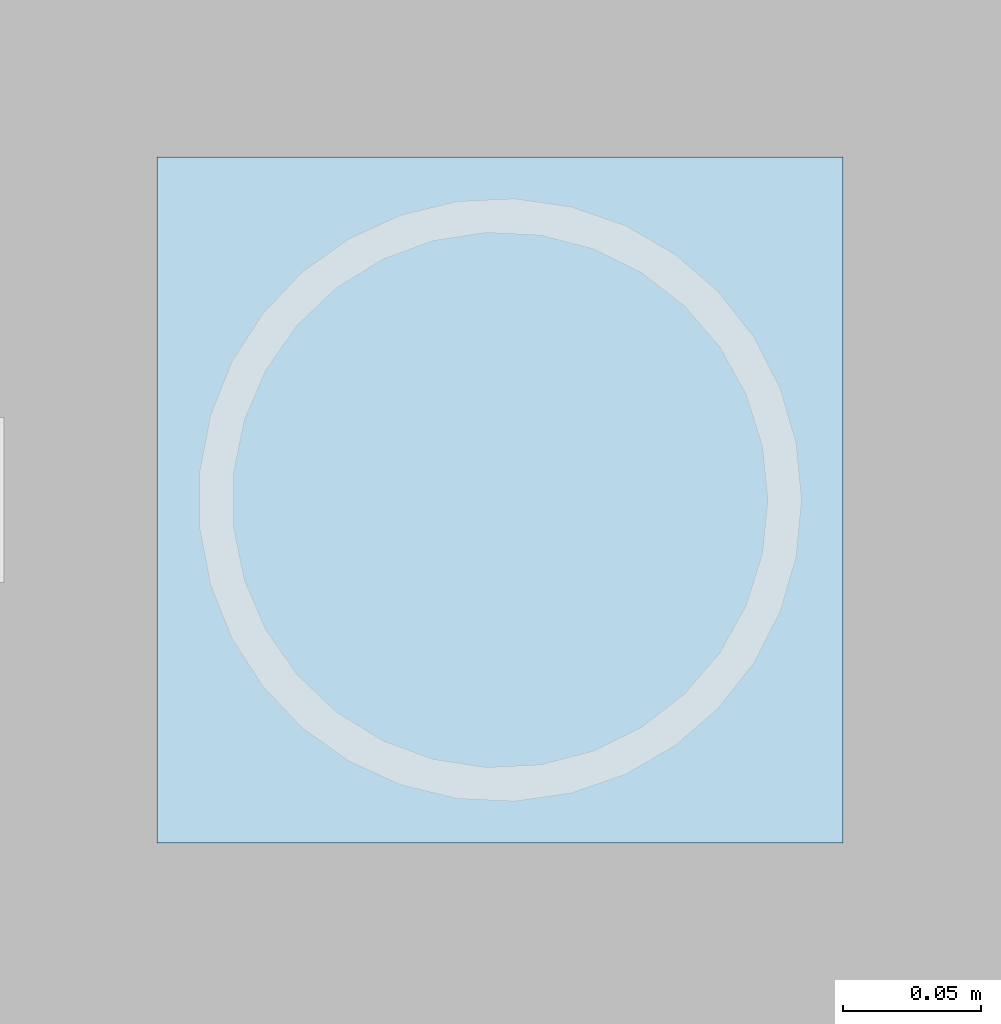
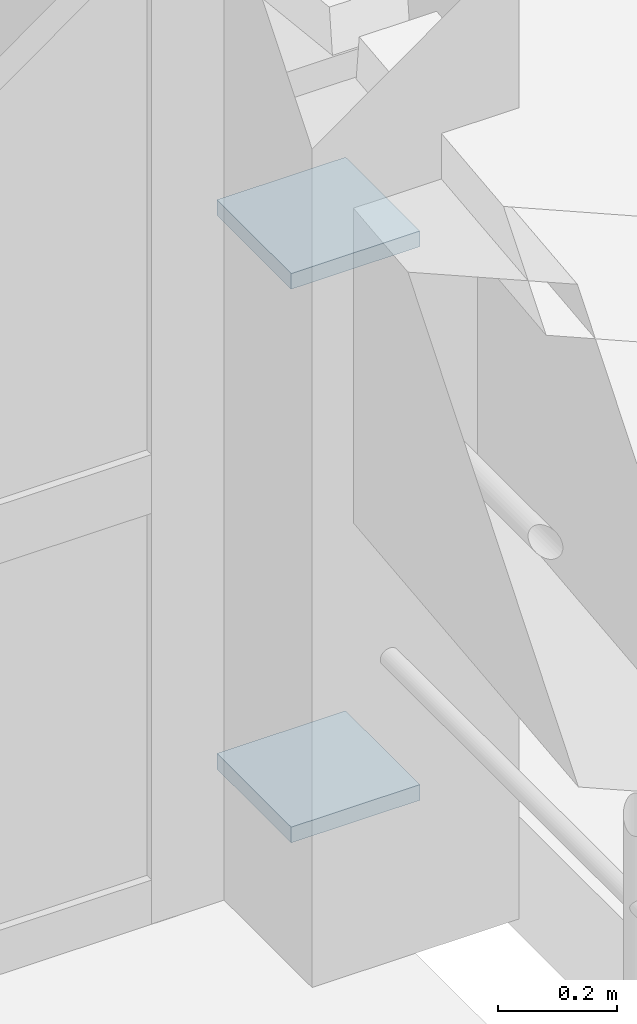
# One storey, part 105 of 139: 2 plates.
"""IFC4 building model written with IfcOpenShell, lengths in metres."""

from ifc_helpers import new_model, si_unit, direction, frame, origin, origin_2d, place, context, subcontext, project, spatial, rectangle, extrude, material, layer, layer_set, type_object, element, save


model = new_model("IFC4")

# Units and contexts
model_context = context("Model", 3, precision=1e-05, world=origin(), true_north=direction((0.0, 1.0)))
body_context = subcontext(model_context, "Body", "Model", "MODEL_VIEW")
ifc_project = project(units=[si_unit("LENGTHUNIT", "METRE"), si_unit("AREAUNIT", "SQUARE_METRE"), si_unit("VOLUMEUNIT", "CUBIC_METRE"), si_unit("PLANEANGLEUNIT", "RADIAN"), si_unit("MASSUNIT", "GRAM", prefix="KILO"), si_unit("THERMODYNAMICTEMPERATUREUNIT", "KELVIN"), si_unit("POWERUNIT", "WATT")], contexts=[model_context])

# Site, building, storey
site_placement = place(None, origin())
site = spatial("IfcSite", under=ifc_project, at=site_placement, CompositionType="ELEMENT")
building_placement = place(site_placement, origin())
building = spatial("IfcBuilding", under=site, at=building_placement, Name="Korenveer Ferry Terminal", CompositionType="ELEMENT")
storey_placement = place(building_placement, frame((0.0, 0.0, 5.39990234375)))
storey = spatial("IfcBuildingStorey", under=building, at=storey_placement, Name="L01", CompositionType="ELEMENT", Elevation=5.39990234375)

# Plates
ifc_material = material(Name="Steel S355", Category="steel")
ifc_layer = layer(ifc_material, 0.031982421875)
ifc_layer_set = layer_set([ifc_layer], Name="Steel S355")
plate_type = type_object("IfcPlateType", Name="STR-PLT-CAP32", PredefinedType="USERDEFINED", material=ifc_layer_set)
for number, where, z_axis, x_axis, name in (
    (1, (30.0, 10.0, 0.14794921875), (0.0, 0.0, 1.0), (1.0, 0.0, 0.0), "Hollow section end cap 526"),
    (2, (30.0, 10.0, 1.2802734375), (0.0, 0.0, 1.0), (1.0, 0.0, 0.0), "Hollow section end cap 527"),
):
    element("IfcPlate", number, at=place(storey_placement, frame(where, z_axis=z_axis, x_axis=x_axis)), inside=storey, type_object=plate_type, Name=name, ObjectType="END CAP PLATE", PredefinedType="USERDEFINED", context=body_context, shape_type="SweptSolid", body=[
        extrude(rectangle(XDim=0.2490234375, YDim=0.2490234375, at=origin_2d()), origin(), (0.0, 0.0, 1.0), 0.031982421875),
    ])

save(model, "model.ifc")
